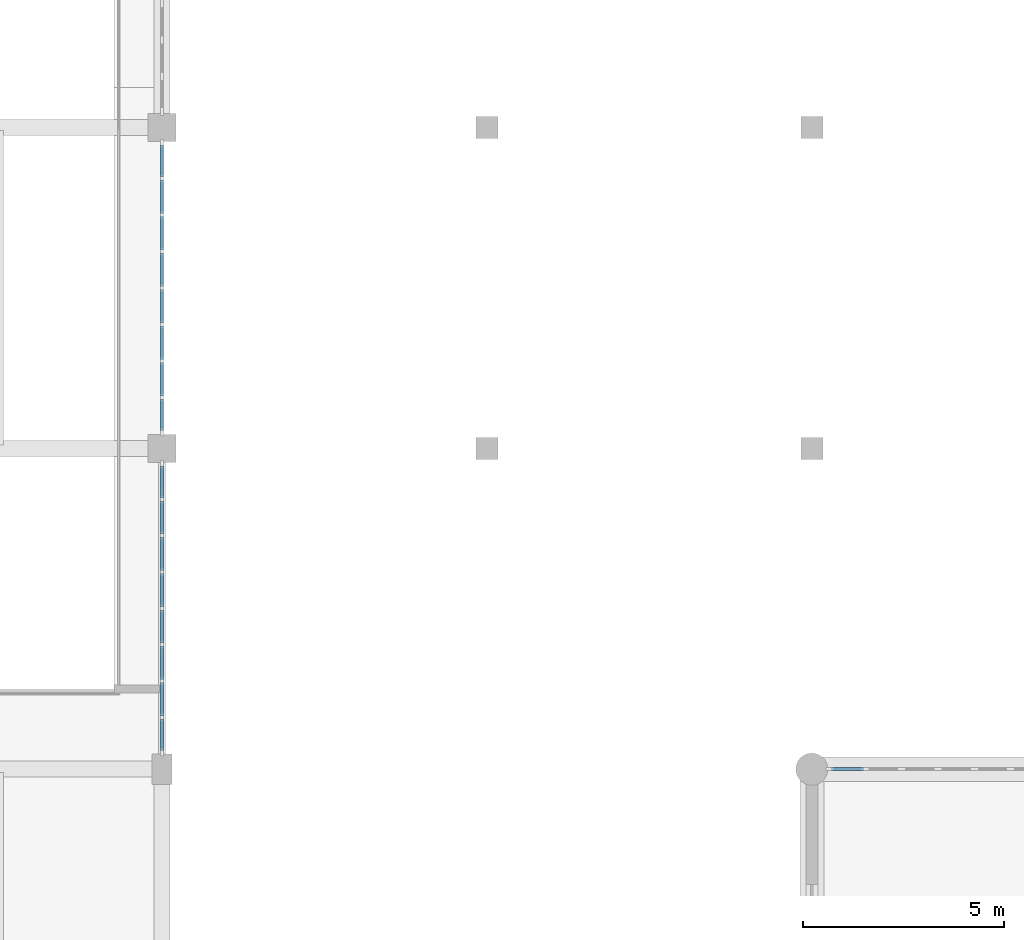
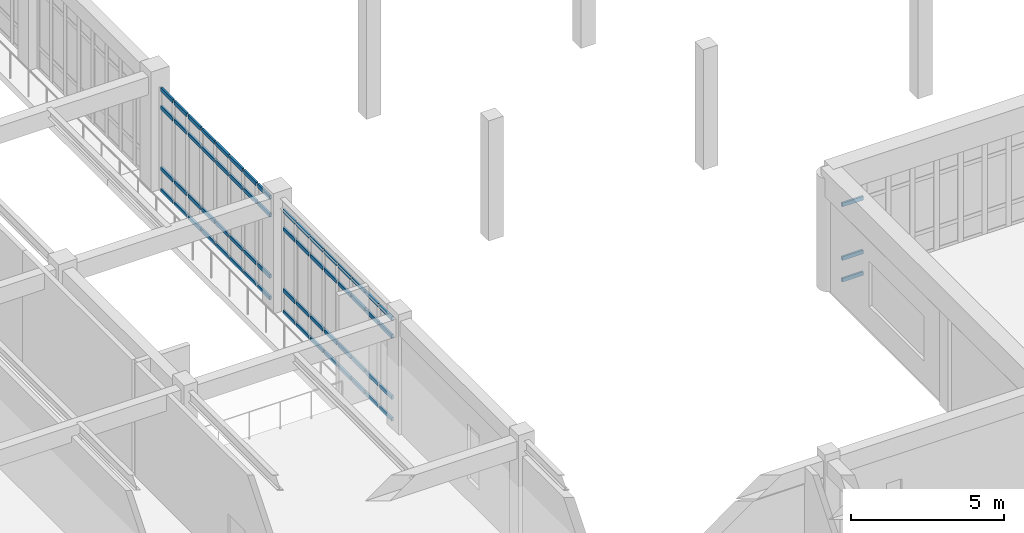
# One storey, part 19 of 61: 67 members, 3 elements without a shape of their own.
"""IFC4 building model written with IfcOpenShell, lengths in metres."""

from ifc_helpers import new_model, si_unit, direction, frame, origin, origin_2d, place, context, subcontext, project, spatial, rectangle, extrude, material, material_profile, profile_set, type_object, element, aggregate, save


model = new_model("IFC4")

# Units and contexts
model_context = context("Model", 3, precision=1e-05, world=origin(), true_north=direction((0.0, 1.0)))
body_context = subcontext(model_context, "Body", "Model", "MODEL_VIEW")
ifc_project = project(units=[si_unit("LENGTHUNIT", "METRE"), si_unit("AREAUNIT", "SQUARE_METRE"), si_unit("VOLUMEUNIT", "CUBIC_METRE"), si_unit("PLANEANGLEUNIT", "RADIAN"), si_unit("MASSUNIT", "GRAM", prefix="KILO")], contexts=[model_context])

# Site, building, storey
site_placement = place(None, origin())
site = spatial("IfcSite", under=ifc_project, at=site_placement, CompositionType="ELEMENT")
building_placement = place(site_placement, origin())
building = spatial("IfcBuilding", under=site, at=building_placement, Name="Tarnveldt Square Police Headquarters", CompositionType="ELEMENT")
storey_placement = place(building_placement, frame((0.0, 0.0, 5.39990234375)))
storey = spatial("IfcBuildingStorey", under=building, at=storey_placement, Name="L01", CompositionType="ELEMENT", Elevation=5.39990234375)

# Curtain wall, members
ifc_material_1 = material(Name="Triple-glazed low-e laminated vision glass", Category="glass")
curtain_wall_type_1 = type_object("IfcCurtainWallType", Name="CW-CT-727x379", PredefinedType="USERDEFINED", material=ifc_material_1)
curtain_wall_1_placement = place(storey_placement, origin())
curtain_wall_1 = element("IfcCurtainWall", 1, at=curtain_wall_1_placement, inside=storey, type_object=curtain_wall_type_1, Name="L01 Curtain Wall CW-L01-018", ObjectType="GLAZED CURTAIN WALL", PredefinedType="USERDEFINED")
ifc_material_2 = material(Name="Thermally broken anodised aluminium 6063-T6", Category="aluminium")
ifc_material_profile = material_profile(ifc_material_2, rectangle(XDim=0.074951171875, YDim=0.14990234375, at=origin_2d()), Name="CW-T75x150")
ifc_profile_set = profile_set([ifc_material_profile], Name="Thermally broken anodised aluminium 6063-T6")
member_type = type_object("IfcMemberType", Name="CWT-75x150", PredefinedType="USERDEFINED", material=ifc_profile_set)
member_1_placement = place(storey_placement, frame((65.2900390625, 48.0, 0.03759765625), z_axis=(1.0, 0.0, 0.0), x_axis=(0.0, 1.0, 0.0)))
member_1 = element("IfcMember", 2, at=member_1_placement, type_object=member_type, Name="CW-CT09 transom 1.1", ObjectType="TRANSOM", PredefinedType="USERDEFINED", context=body_context, shape_type="SweptSolid", body=[
    extrude(rectangle(XDim=0.074951171875, YDim=0.14990234375, at=origin_2d()), origin(), (0.0, 0.0, 1.0), 0.796142578125),
])
member_2_placement = place(storey_placement, frame((65.2900390625, 48.0, 0.900146484375), z_axis=(1.0, 0.0, 0.0), x_axis=(0.0, 1.0, 0.0)))
member_2 = element("IfcMember", 3, at=member_2_placement, type_object=member_type, Name="CW-CT09 transom 1.2", ObjectType="TRANSOM", PredefinedType="USERDEFINED", context=body_context, shape_type="SweptSolid", body=[
    extrude(rectangle(XDim=0.074951171875, YDim=0.14990234375, at=origin_2d()), origin(), (0.0, 0.0, 1.0), 0.796142578125),
])
member_3_placement = place(storey_placement, frame((65.2900390625, 48.0, 3.0419921875), z_axis=(1.0, 0.0, 0.0), x_axis=(0.0, 1.0, 0.0)))
member_3 = element("IfcMember", 4, at=member_3_placement, type_object=member_type, Name="CW-CT09 transom 1.3", ObjectType="TRANSOM", PredefinedType="USERDEFINED", context=body_context, shape_type="SweptSolid", body=[
    extrude(rectangle(XDim=0.074951171875, YDim=0.14990234375, at=origin_2d()), origin(), (0.0, 0.0, 1.0), 0.796142578125),
])
aggregate(curtain_wall_1, [member_1, member_2, member_3])

curtain_wall_type_2 = type_object("IfcCurtainWallType", Name="CW-WG-724x409", PredefinedType="USERDEFINED", material=ifc_material_1)
curtain_wall_2_placement = place(storey_placement, origin())
curtain_wall_2 = element("IfcCurtainWall", 5, at=curtain_wall_2_placement, inside=storey, type_object=curtain_wall_type_2, Name="L01 Curtain Wall CW-L01-067", ObjectType="GLAZED CURTAIN WALL", PredefinedType="USERDEFINED")
member_4_placement = place(storey_placement, frame((48.60009765625, 48.465087890625, 0.03759765625), z_axis=(0.0, 1.0, 0.0), x_axis=(-1.0, 0.0, 0.0)))
member_4 = element("IfcMember", 6, at=member_4_placement, type_object=member_type, Name="CW-WG28 transom 1.1", ObjectType="TRANSOM", PredefinedType="USERDEFINED", context=body_context, shape_type="SweptSolid", body=[
    extrude(rectangle(XDim=0.074951171875, YDim=0.14990234375, at=origin_2d()), origin(), (0.0, 0.0, 1.0), 0.79296875),
])
member_5_placement = place(storey_placement, frame((48.60009765625, 48.465087890625, 0.900146484375), z_axis=(0.0, 1.0, 0.0), x_axis=(-1.0, 0.0, 0.0)))
member_5 = element("IfcMember", 7, at=member_5_placement, type_object=member_type, Name="CW-WG28 transom 1.2", ObjectType="TRANSOM", PredefinedType="USERDEFINED", context=body_context, shape_type="SweptSolid", body=[
    extrude(rectangle(XDim=0.074951171875, YDim=0.14990234375, at=origin_2d()), origin(), (0.0, 0.0, 1.0), 0.79296875),
])
member_6_placement = place(storey_placement, frame((48.60009765625, 48.465087890625, 3.34521484375), z_axis=(0.0, 1.0, 0.0), x_axis=(-1.0, 0.0, 0.0)))
member_6 = element("IfcMember", 8, at=member_6_placement, type_object=member_type, Name="CW-WG28 transom 1.3", ObjectType="TRANSOM", PredefinedType="USERDEFINED", context=body_context, shape_type="SweptSolid", body=[
    extrude(rectangle(XDim=0.074951171875, YDim=0.14990234375, at=origin_2d()), origin(), (0.0, 0.0, 1.0), 0.79296875),
])
member_7_placement = place(storey_placement, frame((48.60009765625, 48.465087890625, 4.0576171875), z_axis=(0.0, 1.0, 0.0), x_axis=(-1.0, 0.0, 0.0)))
member_7 = element("IfcMember", 9, at=member_7_placement, type_object=member_type, Name="CW-WG28 transom 1.4", ObjectType="TRANSOM", PredefinedType="USERDEFINED", context=body_context, shape_type="SweptSolid", body=[
    extrude(rectangle(XDim=0.074951171875, YDim=0.14990234375, at=origin_2d()), origin(), (0.0, 0.0, 1.0), 0.79296875),
])
member_8_placement = place(storey_placement, frame((48.60009765625, 49.3330078125, 0.03759765625), z_axis=(0.0, 1.0, 0.0), x_axis=(-1.0, 0.0, 0.0)))
member_8 = element("IfcMember", 10, at=member_8_placement, type_object=member_type, Name="CW-WG28 transom 2.1", ObjectType="TRANSOM", PredefinedType="USERDEFINED", context=body_context, shape_type="SweptSolid", body=[
    extrude(rectangle(XDim=0.074951171875, YDim=0.14990234375, at=origin_2d()), origin(), (0.0, 0.0, 1.0), 0.830810546875),
])
member_9_placement = place(storey_placement, frame((48.60009765625, 49.3330078125, 0.900146484375), z_axis=(0.0, 1.0, 0.0), x_axis=(-1.0, 0.0, 0.0)))
member_9 = element("IfcMember", 11, at=member_9_placement, type_object=member_type, Name="CW-WG28 transom 2.2", ObjectType="TRANSOM", PredefinedType="USERDEFINED", context=body_context, shape_type="SweptSolid", body=[
    extrude(rectangle(XDim=0.074951171875, YDim=0.14990234375, at=origin_2d()), origin(), (0.0, 0.0, 1.0), 0.830810546875),
])
member_10_placement = place(storey_placement, frame((48.60009765625, 49.3330078125, 3.34521484375), z_axis=(0.0, 1.0, 0.0), x_axis=(-1.0, 0.0, 0.0)))
member_10 = element("IfcMember", 12, at=member_10_placement, type_object=member_type, Name="CW-WG28 transom 2.3", ObjectType="TRANSOM", PredefinedType="USERDEFINED", context=body_context, shape_type="SweptSolid", body=[
    extrude(rectangle(XDim=0.074951171875, YDim=0.14990234375, at=origin_2d()), origin(), (0.0, 0.0, 1.0), 0.830810546875),
])
member_11_placement = place(storey_placement, frame((48.60009765625, 49.3330078125, 4.0576171875), z_axis=(0.0, 1.0, 0.0), x_axis=(-1.0, 0.0, 0.0)))
member_11 = element("IfcMember", 13, at=member_11_placement, type_object=member_type, Name="CW-WG28 transom 2.4", ObjectType="TRANSOM", PredefinedType="USERDEFINED", context=body_context, shape_type="SweptSolid", body=[
    extrude(rectangle(XDim=0.074951171875, YDim=0.14990234375, at=origin_2d()), origin(), (0.0, 0.0, 1.0), 0.830810546875),
])
member_12_placement = place(storey_placement, frame((48.60009765625, 50.23876953125, 0.03759765625), z_axis=(0.0, 1.0, 0.0), x_axis=(-1.0, 0.0, 0.0)))
member_12 = element("IfcMember", 14, at=member_12_placement, type_object=member_type, Name="CW-WG28 transom 3.1", ObjectType="TRANSOM", PredefinedType="USERDEFINED", context=body_context, shape_type="SweptSolid", body=[
    extrude(rectangle(XDim=0.074951171875, YDim=0.14990234375, at=origin_2d()), origin(), (0.0, 0.0, 1.0), 0.83056640625),
])
member_13_placement = place(storey_placement, frame((48.60009765625, 50.23876953125, 0.900146484375), z_axis=(0.0, 1.0, 0.0), x_axis=(-1.0, 0.0, 0.0)))
member_13 = element("IfcMember", 15, at=member_13_placement, type_object=member_type, Name="CW-WG28 transom 3.2", ObjectType="TRANSOM", PredefinedType="USERDEFINED", context=body_context, shape_type="SweptSolid", body=[
    extrude(rectangle(XDim=0.074951171875, YDim=0.14990234375, at=origin_2d()), origin(), (0.0, 0.0, 1.0), 0.83056640625),
])
member_14_placement = place(storey_placement, frame((48.60009765625, 50.23876953125, 3.34521484375), z_axis=(0.0, 1.0, 0.0), x_axis=(-1.0, 0.0, 0.0)))
member_14 = element("IfcMember", 16, at=member_14_placement, type_object=member_type, Name="CW-WG28 transom 3.3", ObjectType="TRANSOM", PredefinedType="USERDEFINED", context=body_context, shape_type="SweptSolid", body=[
    extrude(rectangle(XDim=0.074951171875, YDim=0.14990234375, at=origin_2d()), origin(), (0.0, 0.0, 1.0), 0.83056640625),
])
member_15_placement = place(storey_placement, frame((48.60009765625, 50.23876953125, 4.0576171875), z_axis=(0.0, 1.0, 0.0), x_axis=(-1.0, 0.0, 0.0)))
member_15 = element("IfcMember", 17, at=member_15_placement, type_object=member_type, Name="CW-WG28 transom 3.4", ObjectType="TRANSOM", PredefinedType="USERDEFINED", context=body_context, shape_type="SweptSolid", body=[
    extrude(rectangle(XDim=0.074951171875, YDim=0.14990234375, at=origin_2d()), origin(), (0.0, 0.0, 1.0), 0.83056640625),
])
member_16_placement = place(storey_placement, frame((48.60009765625, 51.144287109375, 0.03759765625), z_axis=(0.0, 1.0, 0.0), x_axis=(-1.0, 0.0, 0.0)))
member_16 = element("IfcMember", 18, at=member_16_placement, type_object=member_type, Name="CW-WG28 transom 4.1", ObjectType="TRANSOM", PredefinedType="USERDEFINED", context=body_context, shape_type="SweptSolid", body=[
    extrude(rectangle(XDim=0.074951171875, YDim=0.14990234375, at=origin_2d()), origin(), (0.0, 0.0, 1.0), 0.830810546875),
])
member_17_placement = place(storey_placement, frame((48.60009765625, 51.144287109375, 0.900146484375), z_axis=(0.0, 1.0, 0.0), x_axis=(-1.0, 0.0, 0.0)))
member_17 = element("IfcMember", 19, at=member_17_placement, type_object=member_type, Name="CW-WG28 transom 4.2", ObjectType="TRANSOM", PredefinedType="USERDEFINED", context=body_context, shape_type="SweptSolid", body=[
    extrude(rectangle(XDim=0.074951171875, YDim=0.14990234375, at=origin_2d()), origin(), (0.0, 0.0, 1.0), 0.830810546875),
])
member_18_placement = place(storey_placement, frame((48.60009765625, 51.144287109375, 3.34521484375), z_axis=(0.0, 1.0, 0.0), x_axis=(-1.0, 0.0, 0.0)))
member_18 = element("IfcMember", 20, at=member_18_placement, type_object=member_type, Name="CW-WG28 transom 4.3", ObjectType="TRANSOM", PredefinedType="USERDEFINED", context=body_context, shape_type="SweptSolid", body=[
    extrude(rectangle(XDim=0.074951171875, YDim=0.14990234375, at=origin_2d()), origin(), (0.0, 0.0, 1.0), 0.830810546875),
])
member_19_placement = place(storey_placement, frame((48.60009765625, 51.144287109375, 4.0576171875), z_axis=(0.0, 1.0, 0.0), x_axis=(-1.0, 0.0, 0.0)))
member_19 = element("IfcMember", 21, at=member_19_placement, type_object=member_type, Name="CW-WG28 transom 4.4", ObjectType="TRANSOM", PredefinedType="USERDEFINED", context=body_context, shape_type="SweptSolid", body=[
    extrude(rectangle(XDim=0.074951171875, YDim=0.14990234375, at=origin_2d()), origin(), (0.0, 0.0, 1.0), 0.830810546875),
])
member_20_placement = place(storey_placement, frame((48.60009765625, 52.050048828125, 0.03759765625), z_axis=(0.0, 1.0, 0.0), x_axis=(-1.0, 0.0, 0.0)))
member_20 = element("IfcMember", 22, at=member_20_placement, type_object=member_type, Name="CW-WG28 transom 5.1", ObjectType="TRANSOM", PredefinedType="USERDEFINED", context=body_context, shape_type="SweptSolid", body=[
    extrude(rectangle(XDim=0.074951171875, YDim=0.14990234375, at=origin_2d()), origin(), (0.0, 0.0, 1.0), 0.83056640625),
])
member_21_placement = place(storey_placement, frame((48.60009765625, 52.050048828125, 0.900146484375), z_axis=(0.0, 1.0, 0.0), x_axis=(-1.0, 0.0, 0.0)))
member_21 = element("IfcMember", 23, at=member_21_placement, type_object=member_type, Name="CW-WG28 transom 5.2", ObjectType="TRANSOM", PredefinedType="USERDEFINED", context=body_context, shape_type="SweptSolid", body=[
    extrude(rectangle(XDim=0.074951171875, YDim=0.14990234375, at=origin_2d()), origin(), (0.0, 0.0, 1.0), 0.83056640625),
])
member_22_placement = place(storey_placement, frame((48.60009765625, 52.050048828125, 3.34521484375), z_axis=(0.0, 1.0, 0.0), x_axis=(-1.0, 0.0, 0.0)))
member_22 = element("IfcMember", 24, at=member_22_placement, type_object=member_type, Name="CW-WG28 transom 5.3", ObjectType="TRANSOM", PredefinedType="USERDEFINED", context=body_context, shape_type="SweptSolid", body=[
    extrude(rectangle(XDim=0.074951171875, YDim=0.14990234375, at=origin_2d()), origin(), (0.0, 0.0, 1.0), 0.83056640625),
])
member_23_placement = place(storey_placement, frame((48.60009765625, 52.050048828125, 4.0576171875), z_axis=(0.0, 1.0, 0.0), x_axis=(-1.0, 0.0, 0.0)))
member_23 = element("IfcMember", 25, at=member_23_placement, type_object=member_type, Name="CW-WG28 transom 5.4", ObjectType="TRANSOM", PredefinedType="USERDEFINED", context=body_context, shape_type="SweptSolid", body=[
    extrude(rectangle(XDim=0.074951171875, YDim=0.14990234375, at=origin_2d()), origin(), (0.0, 0.0, 1.0), 0.83056640625),
])
member_24_placement = place(storey_placement, frame((48.60009765625, 52.95556640625, 0.03759765625), z_axis=(0.0, 1.0, 0.0), x_axis=(-1.0, 0.0, 0.0)))
member_24 = element("IfcMember", 26, at=member_24_placement, type_object=member_type, Name="CW-WG28 transom 6.1", ObjectType="TRANSOM", PredefinedType="USERDEFINED", context=body_context, shape_type="SweptSolid", body=[
    extrude(rectangle(XDim=0.074951171875, YDim=0.14990234375, at=origin_2d()), origin(), (0.0, 0.0, 1.0), 0.83056640625),
])
member_25_placement = place(storey_placement, frame((48.60009765625, 52.95556640625, 0.900146484375), z_axis=(0.0, 1.0, 0.0), x_axis=(-1.0, 0.0, 0.0)))
member_25 = element("IfcMember", 27, at=member_25_placement, type_object=member_type, Name="CW-WG28 transom 6.2", ObjectType="TRANSOM", PredefinedType="USERDEFINED", context=body_context, shape_type="SweptSolid", body=[
    extrude(rectangle(XDim=0.074951171875, YDim=0.14990234375, at=origin_2d()), origin(), (0.0, 0.0, 1.0), 0.83056640625),
])
member_26_placement = place(storey_placement, frame((48.60009765625, 52.95556640625, 3.34521484375), z_axis=(0.0, 1.0, 0.0), x_axis=(-1.0, 0.0, 0.0)))
member_26 = element("IfcMember", 28, at=member_26_placement, type_object=member_type, Name="CW-WG28 transom 6.3", ObjectType="TRANSOM", PredefinedType="USERDEFINED", context=body_context, shape_type="SweptSolid", body=[
    extrude(rectangle(XDim=0.074951171875, YDim=0.14990234375, at=origin_2d()), origin(), (0.0, 0.0, 1.0), 0.83056640625),
])
member_27_placement = place(storey_placement, frame((48.60009765625, 52.95556640625, 4.0576171875), z_axis=(0.0, 1.0, 0.0), x_axis=(-1.0, 0.0, 0.0)))
member_27 = element("IfcMember", 29, at=member_27_placement, type_object=member_type, Name="CW-WG28 transom 6.4", ObjectType="TRANSOM", PredefinedType="USERDEFINED", context=body_context, shape_type="SweptSolid", body=[
    extrude(rectangle(XDim=0.074951171875, YDim=0.14990234375, at=origin_2d()), origin(), (0.0, 0.0, 1.0), 0.83056640625),
])
member_28_placement = place(storey_placement, frame((48.60009765625, 53.861328125, 0.03759765625), z_axis=(0.0, 1.0, 0.0), x_axis=(-1.0, 0.0, 0.0)))
member_28 = element("IfcMember", 30, at=member_28_placement, type_object=member_type, Name="CW-WG28 transom 7.1", ObjectType="TRANSOM", PredefinedType="USERDEFINED", context=body_context, shape_type="SweptSolid", body=[
    extrude(rectangle(XDim=0.074951171875, YDim=0.14990234375, at=origin_2d()), origin(), (0.0, 0.0, 1.0), 0.83056640625),
])
member_29_placement = place(storey_placement, frame((48.60009765625, 53.861328125, 0.900146484375), z_axis=(0.0, 1.0, 0.0), x_axis=(-1.0, 0.0, 0.0)))
member_29 = element("IfcMember", 31, at=member_29_placement, type_object=member_type, Name="CW-WG28 transom 7.2", ObjectType="TRANSOM", PredefinedType="USERDEFINED", context=body_context, shape_type="SweptSolid", body=[
    extrude(rectangle(XDim=0.074951171875, YDim=0.14990234375, at=origin_2d()), origin(), (0.0, 0.0, 1.0), 0.83056640625),
])
member_30_placement = place(storey_placement, frame((48.60009765625, 53.861328125, 3.34521484375), z_axis=(0.0, 1.0, 0.0), x_axis=(-1.0, 0.0, 0.0)))
member_30 = element("IfcMember", 32, at=member_30_placement, type_object=member_type, Name="CW-WG28 transom 7.3", ObjectType="TRANSOM", PredefinedType="USERDEFINED", context=body_context, shape_type="SweptSolid", body=[
    extrude(rectangle(XDim=0.074951171875, YDim=0.14990234375, at=origin_2d()), origin(), (0.0, 0.0, 1.0), 0.83056640625),
])
member_31_placement = place(storey_placement, frame((48.60009765625, 53.861328125, 4.0576171875), z_axis=(0.0, 1.0, 0.0), x_axis=(-1.0, 0.0, 0.0)))
member_31 = element("IfcMember", 33, at=member_31_placement, type_object=member_type, Name="CW-WG28 transom 7.4", ObjectType="TRANSOM", PredefinedType="USERDEFINED", context=body_context, shape_type="SweptSolid", body=[
    extrude(rectangle(XDim=0.074951171875, YDim=0.14990234375, at=origin_2d()), origin(), (0.0, 0.0, 1.0), 0.83056640625),
])
member_32_placement = place(storey_placement, frame((48.60009765625, 54.766845703125, 0.03759765625), z_axis=(0.0, 1.0, 0.0), x_axis=(-1.0, 0.0, 0.0)))
member_32 = element("IfcMember", 34, at=member_32_placement, type_object=member_type, Name="CW-WG28 transom 8.1", ObjectType="TRANSOM", PredefinedType="USERDEFINED", context=body_context, shape_type="SweptSolid", body=[
    extrude(rectangle(XDim=0.074951171875, YDim=0.14990234375, at=origin_2d()), origin(), (0.0, 0.0, 1.0), 0.793212890625),
])
member_33_placement = place(storey_placement, frame((48.60009765625, 54.766845703125, 0.900146484375), z_axis=(0.0, 1.0, 0.0), x_axis=(-1.0, 0.0, 0.0)))
member_33 = element("IfcMember", 35, at=member_33_placement, type_object=member_type, Name="CW-WG28 transom 8.2", ObjectType="TRANSOM", PredefinedType="USERDEFINED", context=body_context, shape_type="SweptSolid", body=[
    extrude(rectangle(XDim=0.074951171875, YDim=0.14990234375, at=origin_2d()), origin(), (0.0, 0.0, 1.0), 0.793212890625),
])
member_34_placement = place(storey_placement, frame((48.60009765625, 54.766845703125, 3.34521484375), z_axis=(0.0, 1.0, 0.0), x_axis=(-1.0, 0.0, 0.0)))
member_34 = element("IfcMember", 36, at=member_34_placement, type_object=member_type, Name="CW-WG28 transom 8.3", ObjectType="TRANSOM", PredefinedType="USERDEFINED", context=body_context, shape_type="SweptSolid", body=[
    extrude(rectangle(XDim=0.074951171875, YDim=0.14990234375, at=origin_2d()), origin(), (0.0, 0.0, 1.0), 0.793212890625),
])
member_35_placement = place(storey_placement, frame((48.60009765625, 54.766845703125, 4.0576171875), z_axis=(0.0, 1.0, 0.0), x_axis=(-1.0, 0.0, 0.0)))
member_35 = element("IfcMember", 37, at=member_35_placement, type_object=member_type, Name="CW-WG28 transom 8.4", ObjectType="TRANSOM", PredefinedType="USERDEFINED", context=body_context, shape_type="SweptSolid", body=[
    extrude(rectangle(XDim=0.074951171875, YDim=0.14990234375, at=origin_2d()), origin(), (0.0, 0.0, 1.0), 0.793212890625),
])
aggregate(curtain_wall_2, [member_4, member_5, member_6, member_7, member_8, member_9, member_10, member_11, member_12, member_13, member_14, member_15, member_16, member_17, member_18, member_19, member_20, member_21, member_22, member_23, member_24, member_25, member_26, member_27, member_28, member_29, member_30, member_31, member_32, member_33, member_34, member_35])

curtain_wall_type_3 = type_object("IfcCurtainWallType", Name="CW-WG-727x409", PredefinedType="USERDEFINED", material=ifc_material_1)
curtain_wall_3_placement = place(storey_placement, origin())
curtain_wall_3 = element("IfcCurtainWall", 38, at=curtain_wall_3_placement, inside=storey, type_object=curtain_wall_type_3, Name="L01 Curtain Wall CW-L01-068", ObjectType="GLAZED CURTAIN WALL", PredefinedType="USERDEFINED")
member_36_placement = place(storey_placement, frame((48.60009765625, 56.43994140625, 0.03759765625), z_axis=(0.0, 1.0, 0.0), x_axis=(-1.0, 0.0, 0.0)))
member_36 = element("IfcMember", 39, at=member_36_placement, type_object=member_type, Name="CW-WG29 transom 1.1", ObjectType="TRANSOM", PredefinedType="USERDEFINED", context=body_context, shape_type="SweptSolid", body=[
    extrude(rectangle(XDim=0.074951171875, YDim=0.14990234375, at=origin_2d()), origin(), (0.0, 0.0, 1.0), 0.79638671875),
])
member_37_placement = place(storey_placement, frame((48.60009765625, 56.43994140625, 0.900146484375), z_axis=(0.0, 1.0, 0.0), x_axis=(-1.0, 0.0, 0.0)))
member_37 = element("IfcMember", 40, at=member_37_placement, type_object=member_type, Name="CW-WG29 transom 1.2", ObjectType="TRANSOM", PredefinedType="USERDEFINED", context=body_context, shape_type="SweptSolid", body=[
    extrude(rectangle(XDim=0.074951171875, YDim=0.14990234375, at=origin_2d()), origin(), (0.0, 0.0, 1.0), 0.79638671875),
])
member_38_placement = place(storey_placement, frame((48.60009765625, 56.43994140625, 3.34521484375), z_axis=(0.0, 1.0, 0.0), x_axis=(-1.0, 0.0, 0.0)))
member_38 = element("IfcMember", 41, at=member_38_placement, type_object=member_type, Name="CW-WG29 transom 1.3", ObjectType="TRANSOM", PredefinedType="USERDEFINED", context=body_context, shape_type="SweptSolid", body=[
    extrude(rectangle(XDim=0.074951171875, YDim=0.14990234375, at=origin_2d()), origin(), (0.0, 0.0, 1.0), 0.79638671875),
])
member_39_placement = place(storey_placement, frame((48.60009765625, 56.43994140625, 4.0576171875), z_axis=(0.0, 1.0, 0.0), x_axis=(-1.0, 0.0, 0.0)))
member_39 = element("IfcMember", 42, at=member_39_placement, type_object=member_type, Name="CW-WG29 transom 1.4", ObjectType="TRANSOM", PredefinedType="USERDEFINED", context=body_context, shape_type="SweptSolid", body=[
    extrude(rectangle(XDim=0.074951171875, YDim=0.14990234375, at=origin_2d()), origin(), (0.0, 0.0, 1.0), 0.79638671875),
])
member_40_placement = place(storey_placement, frame((48.60009765625, 57.311279296875, 0.03759765625), z_axis=(0.0, 1.0, 0.0), x_axis=(-1.0, 0.0, 0.0)))
member_40 = element("IfcMember", 43, at=member_40_placement, type_object=member_type, Name="CW-WG29 transom 2.1", ObjectType="TRANSOM", PredefinedType="USERDEFINED", context=body_context, shape_type="SweptSolid", body=[
    extrude(rectangle(XDim=0.074951171875, YDim=0.14990234375, at=origin_2d()), origin(), (0.0, 0.0, 1.0), 0.833740234375),
])
member_41_placement = place(storey_placement, frame((48.60009765625, 57.311279296875, 0.900146484375), z_axis=(0.0, 1.0, 0.0), x_axis=(-1.0, 0.0, 0.0)))
member_41 = element("IfcMember", 44, at=member_41_placement, type_object=member_type, Name="CW-WG29 transom 2.2", ObjectType="TRANSOM", PredefinedType="USERDEFINED", context=body_context, shape_type="SweptSolid", body=[
    extrude(rectangle(XDim=0.074951171875, YDim=0.14990234375, at=origin_2d()), origin(), (0.0, 0.0, 1.0), 0.833740234375),
])
member_42_placement = place(storey_placement, frame((48.60009765625, 57.311279296875, 3.34521484375), z_axis=(0.0, 1.0, 0.0), x_axis=(-1.0, 0.0, 0.0)))
member_42 = element("IfcMember", 45, at=member_42_placement, type_object=member_type, Name="CW-WG29 transom 2.3", ObjectType="TRANSOM", PredefinedType="USERDEFINED", context=body_context, shape_type="SweptSolid", body=[
    extrude(rectangle(XDim=0.074951171875, YDim=0.14990234375, at=origin_2d()), origin(), (0.0, 0.0, 1.0), 0.833740234375),
])
member_43_placement = place(storey_placement, frame((48.60009765625, 57.311279296875, 4.0576171875), z_axis=(0.0, 1.0, 0.0), x_axis=(-1.0, 0.0, 0.0)))
member_43 = element("IfcMember", 46, at=member_43_placement, type_object=member_type, Name="CW-WG29 transom 2.4", ObjectType="TRANSOM", PredefinedType="USERDEFINED", context=body_context, shape_type="SweptSolid", body=[
    extrude(rectangle(XDim=0.074951171875, YDim=0.14990234375, at=origin_2d()), origin(), (0.0, 0.0, 1.0), 0.833740234375),
])
member_44_placement = place(storey_placement, frame((48.60009765625, 58.219970703125, 0.03759765625), z_axis=(0.0, 1.0, 0.0), x_axis=(-1.0, 0.0, 0.0)))
member_44 = element("IfcMember", 47, at=member_44_placement, type_object=member_type, Name="CW-WG29 transom 3.1", ObjectType="TRANSOM", PredefinedType="USERDEFINED", context=body_context, shape_type="SweptSolid", body=[
    extrude(rectangle(XDim=0.074951171875, YDim=0.14990234375, at=origin_2d()), origin(), (0.0, 0.0, 1.0), 0.833740234375),
])
member_45_placement = place(storey_placement, frame((48.60009765625, 58.219970703125, 0.900146484375), z_axis=(0.0, 1.0, 0.0), x_axis=(-1.0, 0.0, 0.0)))
member_45 = element("IfcMember", 48, at=member_45_placement, type_object=member_type, Name="CW-WG29 transom 3.2", ObjectType="TRANSOM", PredefinedType="USERDEFINED", context=body_context, shape_type="SweptSolid", body=[
    extrude(rectangle(XDim=0.074951171875, YDim=0.14990234375, at=origin_2d()), origin(), (0.0, 0.0, 1.0), 0.833740234375),
])
member_46_placement = place(storey_placement, frame((48.60009765625, 58.219970703125, 3.34521484375), z_axis=(0.0, 1.0, 0.0), x_axis=(-1.0, 0.0, 0.0)))
member_46 = element("IfcMember", 49, at=member_46_placement, type_object=member_type, Name="CW-WG29 transom 3.3", ObjectType="TRANSOM", PredefinedType="USERDEFINED", context=body_context, shape_type="SweptSolid", body=[
    extrude(rectangle(XDim=0.074951171875, YDim=0.14990234375, at=origin_2d()), origin(), (0.0, 0.0, 1.0), 0.833740234375),
])
member_47_placement = place(storey_placement, frame((48.60009765625, 58.219970703125, 4.0576171875), z_axis=(0.0, 1.0, 0.0), x_axis=(-1.0, 0.0, 0.0)))
member_47 = element("IfcMember", 50, at=member_47_placement, type_object=member_type, Name="CW-WG29 transom 3.4", ObjectType="TRANSOM", PredefinedType="USERDEFINED", context=body_context, shape_type="SweptSolid", body=[
    extrude(rectangle(XDim=0.074951171875, YDim=0.14990234375, at=origin_2d()), origin(), (0.0, 0.0, 1.0), 0.833740234375),
])
member_48_placement = place(storey_placement, frame((48.60009765625, 59.128662109375, 0.03759765625), z_axis=(0.0, 1.0, 0.0), x_axis=(-1.0, 0.0, 0.0)))
member_48 = element("IfcMember", 51, at=member_48_placement, type_object=member_type, Name="CW-WG29 transom 4.1", ObjectType="TRANSOM", PredefinedType="USERDEFINED", context=body_context, shape_type="SweptSolid", body=[
    extrude(rectangle(XDim=0.074951171875, YDim=0.14990234375, at=origin_2d()), origin(), (0.0, 0.0, 1.0), 0.833740234375),
])
member_49_placement = place(storey_placement, frame((48.60009765625, 59.128662109375, 0.900146484375), z_axis=(0.0, 1.0, 0.0), x_axis=(-1.0, 0.0, 0.0)))
member_49 = element("IfcMember", 52, at=member_49_placement, type_object=member_type, Name="CW-WG29 transom 4.2", ObjectType="TRANSOM", PredefinedType="USERDEFINED", context=body_context, shape_type="SweptSolid", body=[
    extrude(rectangle(XDim=0.074951171875, YDim=0.14990234375, at=origin_2d()), origin(), (0.0, 0.0, 1.0), 0.833740234375),
])
member_50_placement = place(storey_placement, frame((48.60009765625, 59.128662109375, 3.34521484375), z_axis=(0.0, 1.0, 0.0), x_axis=(-1.0, 0.0, 0.0)))
member_50 = element("IfcMember", 53, at=member_50_placement, type_object=member_type, Name="CW-WG29 transom 4.3", ObjectType="TRANSOM", PredefinedType="USERDEFINED", context=body_context, shape_type="SweptSolid", body=[
    extrude(rectangle(XDim=0.074951171875, YDim=0.14990234375, at=origin_2d()), origin(), (0.0, 0.0, 1.0), 0.833740234375),
])
member_51_placement = place(storey_placement, frame((48.60009765625, 59.128662109375, 4.0576171875), z_axis=(0.0, 1.0, 0.0), x_axis=(-1.0, 0.0, 0.0)))
member_51 = element("IfcMember", 54, at=member_51_placement, type_object=member_type, Name="CW-WG29 transom 4.4", ObjectType="TRANSOM", PredefinedType="USERDEFINED", context=body_context, shape_type="SweptSolid", body=[
    extrude(rectangle(XDim=0.074951171875, YDim=0.14990234375, at=origin_2d()), origin(), (0.0, 0.0, 1.0), 0.833740234375),
])
member_52_placement = place(storey_placement, frame((48.60009765625, 60.03759765625, 0.03759765625), z_axis=(0.0, 1.0, 0.0), x_axis=(-1.0, 0.0, 0.0)))
member_52 = element("IfcMember", 55, at=member_52_placement, type_object=member_type, Name="CW-WG29 transom 5.1", ObjectType="TRANSOM", PredefinedType="USERDEFINED", context=body_context, shape_type="SweptSolid", body=[
    extrude(rectangle(XDim=0.074951171875, YDim=0.14990234375, at=origin_2d()), origin(), (0.0, 0.0, 1.0), 0.833740234375),
])
member_53_placement = place(storey_placement, frame((48.60009765625, 60.03759765625, 0.900146484375), z_axis=(0.0, 1.0, 0.0), x_axis=(-1.0, 0.0, 0.0)))
member_53 = element("IfcMember", 56, at=member_53_placement, type_object=member_type, Name="CW-WG29 transom 5.2", ObjectType="TRANSOM", PredefinedType="USERDEFINED", context=body_context, shape_type="SweptSolid", body=[
    extrude(rectangle(XDim=0.074951171875, YDim=0.14990234375, at=origin_2d()), origin(), (0.0, 0.0, 1.0), 0.833740234375),
])
member_54_placement = place(storey_placement, frame((48.60009765625, 60.03759765625, 3.34521484375), z_axis=(0.0, 1.0, 0.0), x_axis=(-1.0, 0.0, 0.0)))
member_54 = element("IfcMember", 57, at=member_54_placement, type_object=member_type, Name="CW-WG29 transom 5.3", ObjectType="TRANSOM", PredefinedType="USERDEFINED", context=body_context, shape_type="SweptSolid", body=[
    extrude(rectangle(XDim=0.074951171875, YDim=0.14990234375, at=origin_2d()), origin(), (0.0, 0.0, 1.0), 0.833740234375),
])
member_55_placement = place(storey_placement, frame((48.60009765625, 60.03759765625, 4.0576171875), z_axis=(0.0, 1.0, 0.0), x_axis=(-1.0, 0.0, 0.0)))
member_55 = element("IfcMember", 58, at=member_55_placement, type_object=member_type, Name="CW-WG29 transom 5.4", ObjectType="TRANSOM", PredefinedType="USERDEFINED", context=body_context, shape_type="SweptSolid", body=[
    extrude(rectangle(XDim=0.074951171875, YDim=0.14990234375, at=origin_2d()), origin(), (0.0, 0.0, 1.0), 0.833740234375),
])
member_56_placement = place(storey_placement, frame((48.60009765625, 60.9462890625, 0.03759765625), z_axis=(0.0, 1.0, 0.0), x_axis=(-1.0, 0.0, 0.0)))
member_56 = element("IfcMember", 59, at=member_56_placement, type_object=member_type, Name="CW-WG29 transom 6.1", ObjectType="TRANSOM", PredefinedType="USERDEFINED", context=body_context, shape_type="SweptSolid", body=[
    extrude(rectangle(XDim=0.074951171875, YDim=0.14990234375, at=origin_2d()), origin(), (0.0, 0.0, 1.0), 0.833740234375),
])
member_57_placement = place(storey_placement, frame((48.60009765625, 60.9462890625, 0.900146484375), z_axis=(0.0, 1.0, 0.0), x_axis=(-1.0, 0.0, 0.0)))
member_57 = element("IfcMember", 60, at=member_57_placement, type_object=member_type, Name="CW-WG29 transom 6.2", ObjectType="TRANSOM", PredefinedType="USERDEFINED", context=body_context, shape_type="SweptSolid", body=[
    extrude(rectangle(XDim=0.074951171875, YDim=0.14990234375, at=origin_2d()), origin(), (0.0, 0.0, 1.0), 0.833740234375),
])
member_58_placement = place(storey_placement, frame((48.60009765625, 60.9462890625, 3.34521484375), z_axis=(0.0, 1.0, 0.0), x_axis=(-1.0, 0.0, 0.0)))
member_58 = element("IfcMember", 61, at=member_58_placement, type_object=member_type, Name="CW-WG29 transom 6.3", ObjectType="TRANSOM", PredefinedType="USERDEFINED", context=body_context, shape_type="SweptSolid", body=[
    extrude(rectangle(XDim=0.074951171875, YDim=0.14990234375, at=origin_2d()), origin(), (0.0, 0.0, 1.0), 0.833740234375),
])
member_59_placement = place(storey_placement, frame((48.60009765625, 60.9462890625, 4.0576171875), z_axis=(0.0, 1.0, 0.0), x_axis=(-1.0, 0.0, 0.0)))
member_59 = element("IfcMember", 62, at=member_59_placement, type_object=member_type, Name="CW-WG29 transom 6.4", ObjectType="TRANSOM", PredefinedType="USERDEFINED", context=body_context, shape_type="SweptSolid", body=[
    extrude(rectangle(XDim=0.074951171875, YDim=0.14990234375, at=origin_2d()), origin(), (0.0, 0.0, 1.0), 0.833740234375),
])
member_60_placement = place(storey_placement, frame((48.60009765625, 61.85498046875, 0.03759765625), z_axis=(0.0, 1.0, 0.0), x_axis=(-1.0, 0.0, 0.0)))
member_60 = element("IfcMember", 63, at=member_60_placement, type_object=member_type, Name="CW-WG29 transom 7.1", ObjectType="TRANSOM", PredefinedType="USERDEFINED", context=body_context, shape_type="SweptSolid", body=[
    extrude(rectangle(XDim=0.074951171875, YDim=0.14990234375, at=origin_2d()), origin(), (0.0, 0.0, 1.0), 0.833740234375),
])
member_61_placement = place(storey_placement, frame((48.60009765625, 61.85498046875, 0.900146484375), z_axis=(0.0, 1.0, 0.0), x_axis=(-1.0, 0.0, 0.0)))
member_61 = element("IfcMember", 64, at=member_61_placement, type_object=member_type, Name="CW-WG29 transom 7.2", ObjectType="TRANSOM", PredefinedType="USERDEFINED", context=body_context, shape_type="SweptSolid", body=[
    extrude(rectangle(XDim=0.074951171875, YDim=0.14990234375, at=origin_2d()), origin(), (0.0, 0.0, 1.0), 0.833740234375),
])
member_62_placement = place(storey_placement, frame((48.60009765625, 61.85498046875, 3.34521484375), z_axis=(0.0, 1.0, 0.0), x_axis=(-1.0, 0.0, 0.0)))
member_62 = element("IfcMember", 65, at=member_62_placement, type_object=member_type, Name="CW-WG29 transom 7.3", ObjectType="TRANSOM", PredefinedType="USERDEFINED", context=body_context, shape_type="SweptSolid", body=[
    extrude(rectangle(XDim=0.074951171875, YDim=0.14990234375, at=origin_2d()), origin(), (0.0, 0.0, 1.0), 0.833740234375),
])
member_63_placement = place(storey_placement, frame((48.60009765625, 61.85498046875, 4.0576171875), z_axis=(0.0, 1.0, 0.0), x_axis=(-1.0, 0.0, 0.0)))
member_63 = element("IfcMember", 66, at=member_63_placement, type_object=member_type, Name="CW-WG29 transom 7.4", ObjectType="TRANSOM", PredefinedType="USERDEFINED", context=body_context, shape_type="SweptSolid", body=[
    extrude(rectangle(XDim=0.074951171875, YDim=0.14990234375, at=origin_2d()), origin(), (0.0, 0.0, 1.0), 0.833740234375),
])
member_64_placement = place(storey_placement, frame((48.60009765625, 62.763671875, 0.03759765625), z_axis=(0.0, 1.0, 0.0), x_axis=(-1.0, 0.0, 0.0)))
member_64 = element("IfcMember", 67, at=member_64_placement, type_object=member_type, Name="CW-WG29 transom 8.1", ObjectType="TRANSOM", PredefinedType="USERDEFINED", context=body_context, shape_type="SweptSolid", body=[
    extrude(rectangle(XDim=0.074951171875, YDim=0.14990234375, at=origin_2d()), origin(), (0.0, 0.0, 1.0), 0.79638671875),
])
member_65_placement = place(storey_placement, frame((48.60009765625, 62.763671875, 0.900146484375), z_axis=(0.0, 1.0, 0.0), x_axis=(-1.0, 0.0, 0.0)))
member_65 = element("IfcMember", 68, at=member_65_placement, type_object=member_type, Name="CW-WG29 transom 8.2", ObjectType="TRANSOM", PredefinedType="USERDEFINED", context=body_context, shape_type="SweptSolid", body=[
    extrude(rectangle(XDim=0.074951171875, YDim=0.14990234375, at=origin_2d()), origin(), (0.0, 0.0, 1.0), 0.79638671875),
])
member_66_placement = place(storey_placement, frame((48.60009765625, 62.763671875, 3.34521484375), z_axis=(0.0, 1.0, 0.0), x_axis=(-1.0, 0.0, 0.0)))
member_66 = element("IfcMember", 69, at=member_66_placement, type_object=member_type, Name="CW-WG29 transom 8.3", ObjectType="TRANSOM", PredefinedType="USERDEFINED", context=body_context, shape_type="SweptSolid", body=[
    extrude(rectangle(XDim=0.074951171875, YDim=0.14990234375, at=origin_2d()), origin(), (0.0, 0.0, 1.0), 0.79638671875),
])
member_67_placement = place(storey_placement, frame((48.60009765625, 62.763671875, 4.0576171875), z_axis=(0.0, 1.0, 0.0), x_axis=(-1.0, 0.0, 0.0)))
member_67 = element("IfcMember", 70, at=member_67_placement, type_object=member_type, Name="CW-WG29 transom 8.4", ObjectType="TRANSOM", PredefinedType="USERDEFINED", context=body_context, shape_type="SweptSolid", body=[
    extrude(rectangle(XDim=0.074951171875, YDim=0.14990234375, at=origin_2d()), origin(), (0.0, 0.0, 1.0), 0.79638671875),
])
aggregate(curtain_wall_3, [member_36, member_37, member_38, member_39, member_40, member_41, member_42, member_43, member_44, member_45, member_46, member_47, member_48, member_49, member_50, member_51, member_52, member_53, member_54, member_55, member_56, member_57, member_58, member_59, member_60, member_61, member_62, member_63, member_64, member_65, member_66, member_67])

save(model, "model.ifc")
